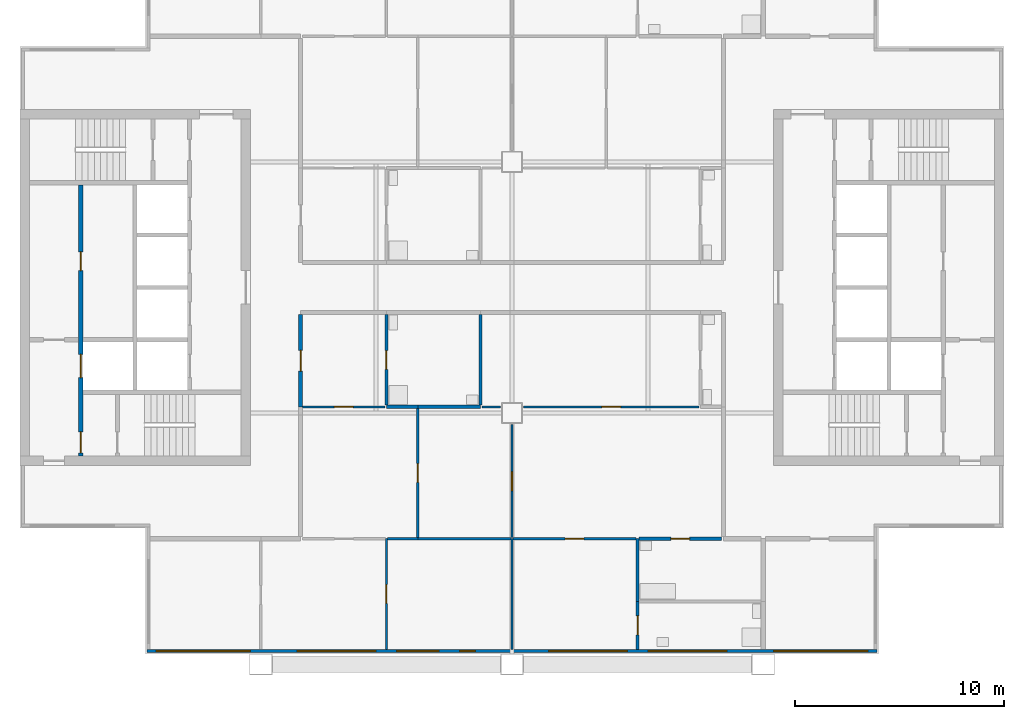
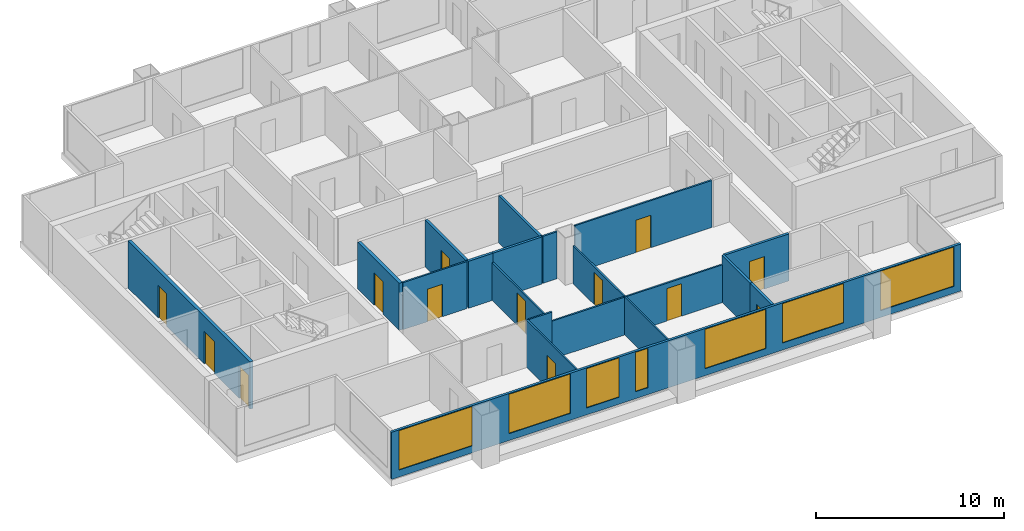
# One storey, part 2 of 8: 20 walls, 13 doors, 7 windows, 20 openings.
"""IFC4 building model written with IfcOpenShell, lengths in metres."""

from ifc_helpers import new_model, si_unit, direction, frame, frame_2d, origin, place, context, subcontext, project, spatial, rectangle, extrude, material, layer, layer_set, type_object, element, fill, save


model = new_model("IFC4")

# Units and contexts
model_context = context("Model", 3, precision=1e-05, world=origin(), true_north=direction((0.0, 1.0)))
body_context = subcontext(model_context, "Body", "Model", "MODEL_VIEW")
ifc_project = project(units=[si_unit("LENGTHUNIT", "METRE"), si_unit("AREAUNIT", "SQUARE_METRE"), si_unit("VOLUMEUNIT", "CUBIC_METRE"), si_unit("PLANEANGLEUNIT", "RADIAN"), si_unit("MASSUNIT", "GRAM", prefix="KILO")], contexts=[model_context])

# Site, building, storey
site_placement = place(None, origin())
site = spatial("IfcSite", under=ifc_project, at=site_placement, CompositionType="ELEMENT")
building_placement = place(site_placement, origin())
building = spatial("IfcBuilding", under=site, at=building_placement, Name="Kitamizu Gate Tower and Museum", CompositionType="ELEMENT")
storey_placement = place(building_placement, frame((0.0, 0.0, 235.199951171875)))
storey = spatial("IfcBuildingStorey", under=building, at=storey_placement, Name="L63", CompositionType="ELEMENT", Elevation=235.199951171875)

# Wall, opening, door
ifc_material_1 = material(Name="Gypsum board on galvanised stud")
ifc_layer_1 = layer(ifc_material_1, 0.10009765625)
ifc_layer_set_1 = layer_set([ifc_layer_1], Name="Gypsum board on galvanised stud")
wall_type_1 = type_object("IfcWallType", Name="Partition 100 NOT RATED", PredefinedType="PARTITIONING", material=ifc_layer_set_1)
wall_1_placement = place(storey_placement, frame((30.0, 12.719970703125, 0.0), z_axis=(0.0, 0.0, 1.0), x_axis=(0.0, 1.0, 0.0)))
wall_1 = element("IfcWall", 1, at=wall_1_placement, inside=storey, type_object=wall_type_1, Name="Partition L63-003", PredefinedType="PARTITIONING", context=body_context, shape_type="SweptSolid", body=[
    extrude(rectangle(XDim=5.280029296875, YDim=0.10009765625, at=frame_2d((2.64013671875, 0.0))), origin(), (0.0, 0.0, 1.0), 3.050048828125),
])
opening_1_placement = place(wall_1_placement, frame((2.18994140625, 0.0, 0.0)))
opening_1 = element("IfcOpeningElement", 2, at=opening_1_placement, cuts=wall_1, Name="Opening L63-007", PredefinedType="OPENING", context=body_context, shape_type="SweptSolid", body=[
    extrude(rectangle(XDim=0.89990234375, YDim=2.10009765625, at=frame_2d((0.449951171875, 1.050048828125))), frame((0.0, 0.06005859375, 0.0), z_axis=(0.0, -1.0, 0.0), x_axis=(1.0, 0.0, 0.0)), (0.0, 0.0, 1.0), 0.1201171875),
])
ifc_material_2 = material(Name="Timber door set", Category="wood")
door_type_1 = type_object("IfcDoorType", Name="Room door 900", OperationType="NOTDEFINED", PredefinedType="DOOR", material=ifc_material_2)
door_1_placement = place(opening_1_placement, origin())
door_1 = element("IfcDoor", 3, at=door_1_placement, inside=storey, type_object=door_type_1, Name="Door L63-007", OperationType="SINGLE_SWING_RIGHT", OverallHeight=2.10009765625, OverallWidth=0.89990234375, PredefinedType="DOOR", context=body_context, shape_type="SweptSolid", body=[
    extrude(rectangle(XDim=0.89990234375, YDim=2.10009765625, at=frame_2d((0.449951171875, 1.050048828125))), frame((0.0, 0.02490234375, 0.0), z_axis=(0.0, -1.0, 0.0), x_axis=(1.0, 0.0, 0.0)), (0.0, 0.0, 1.0), 0.050048828125),
])
fill(opening_1, door_1)

# Walls
wall_2_placement = place(storey_placement, frame((36.0, 12.719970703125, 0.0), z_axis=(0.0, 0.0, 1.0), x_axis=(0.0, 1.0, 0.0)))
element("IfcWall", 4, at=wall_2_placement, inside=storey, type_object=wall_type_1, Name="Partition L63-006", PredefinedType="PARTITIONING", context=body_context, shape_type="SweptSolid", body=[
    extrude(rectangle(XDim=5.280029296875, YDim=0.10009765625, at=frame_2d((2.64013671875, 0.0))), origin(), (0.0, 0.0, 1.0), 2.449951171875),
])
wall_3_placement = place(storey_placement, frame((31.5, 18.0, 0.0), z_axis=(0.0, 0.0, 1.0), x_axis=(-1.0, 0.0, 0.0)))
element("IfcWall", 5, at=wall_3_placement, inside=storey, type_object=wall_type_1, Name="Partition L63-007", PredefinedType="PARTITIONING", context=body_context, shape_type="SweptSolid", body=[
    extrude(rectangle(XDim=1.449951171875, YDim=0.10009765625, at=frame_2d((0.72509765625, 0.0))), origin(), (0.0, 0.0, 1.0), 3.050048828125),
])
wall_4_placement = place(storey_placement, frame((35.949951171875, 18.0, 0.0), z_axis=(0.0, 0.0, 1.0), x_axis=(-1.0, 0.0, 0.0)))
element("IfcWall", 6, at=wall_4_placement, inside=storey, type_object=wall_type_1, Name="Partition L63-008", PredefinedType="PARTITIONING", context=body_context, shape_type="SweptSolid", body=[
    extrude(rectangle(XDim=4.449951171875, YDim=0.10009765625, at=frame_2d((2.22509765625, 0.0))), origin(), (0.0, 0.0, 1.0), 2.449951171875),
])

# Wall, opening, door
wall_5_placement = place(storey_placement, frame((41.925048828125, 18.0, 0.0), z_axis=(0.0, 0.0, 1.0), x_axis=(-1.0, 0.0, 0.0)))
wall_5 = element("IfcWall", 7, at=wall_5_placement, inside=storey, type_object=wall_type_1, Name="Partition L63-011", PredefinedType="PARTITIONING", context=body_context, shape_type="SweptSolid", body=[
    extrude(rectangle(XDim=5.875, YDim=0.10009765625, at=frame_2d((2.9375, 0.0))), origin(), (0.0, 0.0, 1.0), 2.449951171875),
])
opening_2_placement = place(wall_5_placement, frame((2.487548828125, 0.0, 0.0)))
opening_2 = element("IfcOpeningElement", 8, at=opening_2_placement, cuts=wall_5, Name="Opening L63-009", PredefinedType="OPENING", context=body_context, shape_type="SweptSolid", body=[
    extrude(rectangle(XDim=0.89990234375, YDim=2.10009765625, at=frame_2d((0.449951171875, 1.050048828125))), frame((0.0, 0.06005859375, 0.0), z_axis=(0.0, -1.0, 0.0), x_axis=(1.0, 0.0, 0.0)), (0.0, 0.0, 1.0), 0.1201171875),
])
door_2_placement = place(opening_2_placement, origin())
door_2 = element("IfcDoor", 9, at=door_2_placement, inside=storey, type_object=door_type_1, Name="Door L63-009", OperationType="SINGLE_SWING_RIGHT", OverallHeight=2.10009765625, OverallWidth=0.89990234375, PredefinedType="DOOR", context=body_context, shape_type="SweptSolid", body=[
    extrude(rectangle(XDim=0.89990234375, YDim=2.10009765625, at=frame_2d((0.449951171875, 1.050048828125))), frame((0.0, 0.02490234375, 0.0), z_axis=(0.0, -1.0, 0.0), x_axis=(1.0, 0.0, 0.0)), (0.0, 0.0, 1.0), 0.050048828125),
])
fill(opening_2, door_2)

wall_6_placement = place(storey_placement, frame((31.5, 18.050048828125, 0.0), z_axis=(0.0, 0.0, 1.0), x_axis=(0.0, 1.0, 0.0)))
wall_6 = element("IfcWall", 10, at=wall_6_placement, inside=storey, type_object=wall_type_1, Name="Partition L63-017", PredefinedType="PARTITIONING", context=body_context, shape_type="SweptSolid", body=[
    extrude(rectangle(XDim=6.175048828125, YDim=0.10009765625, at=frame_2d((3.08740234375, 0.0))), origin(), (0.0, 0.0, 1.0), 2.449951171875),
])
opening_3_placement = place(wall_6_placement, frame((2.637451171875, 0.0, 0.0)))
opening_3 = element("IfcOpeningElement", 11, at=opening_3_placement, cuts=wall_6, Name="Opening L63-004", PredefinedType="OPENING", context=body_context, shape_type="SweptSolid", body=[
    extrude(rectangle(XDim=0.89990234375, YDim=2.10009765625, at=frame_2d((0.449951171875, 1.050048828125))), frame((0.0, 0.06005859375, 0.0), z_axis=(0.0, -1.0, 0.0), x_axis=(1.0, 0.0, 0.0)), (0.0, 0.0, 1.0), 0.1201171875),
])
door_3_placement = place(opening_3_placement, frame((0.89990234375, 0.0, 0.0), x_axis=(-1.0, 0.0, 0.0)))
door_3 = element("IfcDoor", 12, at=door_3_placement, inside=storey, type_object=door_type_1, Name="Door L63-004", OperationType="SINGLE_SWING_RIGHT", OverallHeight=2.10009765625, OverallWidth=0.89990234375, PredefinedType="DOOR", context=body_context, shape_type="SweptSolid", body=[
    extrude(rectangle(XDim=0.89990234375, YDim=2.10009765625, at=frame_2d((0.449951171875, 1.050048828125))), frame((0.0, 0.02490234375, 0.0), z_axis=(0.0, -1.0, 0.0), x_axis=(1.0, 0.0, 0.0)), (0.0, 0.0, 1.0), 0.050048828125),
])
fill(opening_3, door_3)

wall_7_placement = place(storey_placement, frame((29.925048828125, 24.300048828125, 0.0), z_axis=(0.0, 0.0, 1.0), x_axis=(-1.0, 0.0, 0.0)))
wall_7 = element("IfcWall", 13, at=wall_7_placement, inside=storey, type_object=wall_type_1, Name="Partition L63-018", PredefinedType="PARTITIONING", context=body_context, shape_type="SweptSolid", body=[
    extrude(rectangle(XDim=3.925048828125, YDim=0.10009765625, at=frame_2d((1.96240234375, 0.0))), origin(), (0.0, 0.0, 1.0), 3.050048828125),
])
opening_4_placement = place(wall_7_placement, frame((1.512451171875, 0.0, 0.0)))
opening_4 = element("IfcOpeningElement", 14, at=opening_4_placement, cuts=wall_7, Name="Opening L63-002", PredefinedType="OPENING", context=body_context, shape_type="SweptSolid", body=[
    extrude(rectangle(XDim=0.89990234375, YDim=2.10009765625, at=frame_2d((0.449951171875, 1.050048828125))), frame((0.0, 0.06005859375, 0.0), z_axis=(0.0, -1.0, 0.0), x_axis=(1.0, 0.0, 0.0)), (0.0, 0.0, 1.0), 0.1201171875),
])
door_4_placement = place(opening_4_placement, origin())
door_4 = element("IfcDoor", 15, at=door_4_placement, inside=storey, type_object=door_type_1, Name="Door L63-002", OperationType="SINGLE_SWING_LEFT", OverallHeight=2.10009765625, OverallWidth=0.89990234375, PredefinedType="DOOR", context=body_context, shape_type="SweptSolid", body=[
    extrude(rectangle(XDim=0.89990234375, YDim=2.10009765625, at=frame_2d((0.449951171875, 1.050048828125))), frame((0.0, 0.02490234375, 0.0), z_axis=(0.0, -1.0, 0.0), x_axis=(1.0, 0.0, 0.0)), (0.0, 0.0, 1.0), 0.050048828125),
])
fill(opening_4, door_4)

wall_8_placement = place(storey_placement, frame((36.0, 18.050048828125, 0.0), z_axis=(0.0, 0.0, 1.0), x_axis=(0.0, 1.0, 0.0)))
wall_8 = element("IfcWall", 16, at=wall_8_placement, inside=storey, type_object=wall_type_1, Name="Partition L63-022", PredefinedType="PARTITIONING", context=body_context, shape_type="SweptSolid", body=[
    extrude(rectangle(XDim=5.39990234375, YDim=0.10009765625, at=frame_2d((2.699951171875, 0.0))), origin(), (0.0, 0.0, 1.0), 2.449951171875),
])
opening_5_placement = place(wall_8_placement, frame((2.25, 0.0, 0.0)))
opening_5 = element("IfcOpeningElement", 17, at=opening_5_placement, cuts=wall_8, Name="Opening L63-008", PredefinedType="OPENING", context=body_context, shape_type="SweptSolid", body=[
    extrude(rectangle(XDim=0.89990234375, YDim=2.10009765625, at=frame_2d((0.449951171875, 1.050048828125))), frame((0.0, 0.06005859375, 0.0), z_axis=(0.0, -1.0, 0.0), x_axis=(1.0, 0.0, 0.0)), (0.0, 0.0, 1.0), 0.1201171875),
])
door_5_placement = place(opening_5_placement, origin())
door_5 = element("IfcDoor", 18, at=door_5_placement, inside=storey, type_object=door_type_1, Name="Door L63-008", OperationType="SINGLE_SWING_LEFT", OverallHeight=2.10009765625, OverallWidth=0.89990234375, PredefinedType="DOOR", context=body_context, shape_type="SweptSolid", body=[
    extrude(rectangle(XDim=0.89990234375, YDim=2.10009765625, at=frame_2d((0.449951171875, 1.050048828125))), frame((0.0, 0.02490234375, 0.0), z_axis=(0.0, -1.0, 0.0), x_axis=(1.0, 0.0, 0.0)), (0.0, 0.0, 1.0), 0.050048828125),
])
fill(opening_5, door_5)

# Wall
wall_9_placement = place(storey_placement, frame((35.449951171875, 24.300048828125, 0.0), z_axis=(0.0, 0.0, 1.0), x_axis=(-1.0, 0.0, 0.0)))
element("IfcWall", 19, at=wall_9_placement, inside=storey, type_object=wall_type_1, Name="Partition L63-024", PredefinedType="PARTITIONING", context=body_context, shape_type="SweptSolid", body=[
    extrude(rectangle(XDim=0.875, YDim=0.10009765625, at=frame_2d((0.4375, 0.0))), origin(), (0.0, 0.0, 1.0), 3.050048828125),
])

# Wall, opening, door
wall_10_placement = place(storey_placement, frame((44.925048828125, 24.300048828125, 0.0), z_axis=(0.0, 0.0, 1.0), x_axis=(-1.0, 0.0, 0.0)))
wall_10 = element("IfcWall", 20, at=wall_10_placement, inside=storey, type_object=wall_type_1, Name="Partition L63-025", PredefinedType="PARTITIONING", context=body_context, shape_type="SweptSolid", body=[
    extrude(rectangle(XDim=8.375, YDim=0.10009765625, at=frame_2d((4.1875, 0.0))), origin(), (0.0, 0.0, 1.0), 3.050048828125),
])
opening_6_placement = place(wall_10_placement, frame((3.737548828125, 0.0, 0.0)))
opening_6 = element("IfcOpeningElement", 21, at=opening_6_placement, cuts=wall_10, Name="Opening L63-012", PredefinedType="OPENING", context=body_context, shape_type="SweptSolid", body=[
    extrude(rectangle(XDim=0.89990234375, YDim=2.10009765625, at=frame_2d((0.449951171875, 1.050048828125))), frame((0.0, 0.06005859375, 0.0), z_axis=(0.0, -1.0, 0.0), x_axis=(1.0, 0.0, 0.0)), (0.0, 0.0, 1.0), 0.1201171875),
])
door_6_placement = place(opening_6_placement, frame((0.89990234375, 0.0, 0.0), x_axis=(-1.0, 0.0, 0.0)))
door_6 = element("IfcDoor", 22, at=door_6_placement, inside=storey, type_object=door_type_1, Name="Door L63-012", OperationType="SINGLE_SWING_RIGHT", OverallHeight=2.10009765625, OverallWidth=0.89990234375, PredefinedType="DOOR", context=body_context, shape_type="SweptSolid", body=[
    extrude(rectangle(XDim=0.89990234375, YDim=2.10009765625, at=frame_2d((0.449951171875, 1.050048828125))), frame((0.0, 0.02490234375, 0.0), z_axis=(0.0, -1.0, 0.0), x_axis=(1.0, 0.0, 0.0)), (0.0, 0.0, 1.0), 0.050048828125),
])
fill(opening_6, door_6)

ifc_material_3 = material(Name="Gypsum board on galvanised stud")
ifc_layer_2 = layer(ifc_material_3, 0.14990234375)
ifc_layer_set_2 = layer_set([ifc_layer_2], Name="Gypsum board on galvanised stud")
wall_type_2 = type_object("IfcWallType", Name="Partition 150", PredefinedType="PARTITIONING", material=ifc_layer_set_2)
wall_11_placement = place(storey_placement, frame((42.0, 12.719970703125, 0.0), z_axis=(0.0, 0.0, 1.0), x_axis=(0.0, 1.0, 0.0)))
wall_11 = element("IfcWall", 23, at=wall_11_placement, inside=storey, type_object=wall_type_2, Name="Partition L63-009", PredefinedType="PARTITIONING", context=body_context, shape_type="SweptSolid", body=[
    extrude(rectangle(XDim=2.280029296875, YDim=0.14990234375, at=frame_2d((1.14013671875, 0.0))), origin(), (0.0, 0.0, 1.0), 3.050048828125),
])
opening_7_placement = place(wall_11_placement, frame((0.68994140625, 0.0, 0.0)))
opening_7 = element("IfcOpeningElement", 24, at=opening_7_placement, cuts=wall_11, Name="Opening L63-010", PredefinedType="OPENING", context=body_context, shape_type="SweptSolid", body=[
    extrude(rectangle(XDim=0.89990234375, YDim=2.10009765625, at=frame_2d((0.449951171875, 1.050048828125))), frame((0.0, 0.0849609375, 0.0), z_axis=(0.0, -1.0, 0.0), x_axis=(1.0, 0.0, 0.0)), (0.0, 0.0, 1.0), 0.169921875),
])
ifc_material_4 = material(Name="Timber door set", Category="wood")
door_type_2 = type_object("IfcDoorType", Name="Bathroom door 900", OperationType="NOTDEFINED", PredefinedType="DOOR", material=ifc_material_4)
door_7_placement = place(opening_7_placement, frame((0.89990234375, 0.0, 0.0), x_axis=(-1.0, 0.0, 0.0)))
door_7 = element("IfcDoor", 25, at=door_7_placement, inside=storey, type_object=door_type_2, Name="Bathroom door L63-010", OperationType="SINGLE_SWING_RIGHT", OverallHeight=2.10009765625, OverallWidth=0.89990234375, PredefinedType="DOOR", context=body_context, shape_type="SweptSolid", body=[
    extrude(rectangle(XDim=0.89990234375, YDim=2.10009765625, at=frame_2d((0.449951171875, 1.050048828125))), frame((0.0, 0.02490234375, 0.0), z_axis=(0.0, -1.0, 0.0), x_axis=(1.0, 0.0, 0.0)), (0.0, 0.0, 1.0), 0.050048828125),
])
fill(opening_7, door_7)

# Wall
wall_12_placement = place(storey_placement, frame((42.0, 15.0, 0.0), z_axis=(0.0, 0.0, 1.0), x_axis=(0.0, 1.0, 0.0)))
element("IfcWall", 26, at=wall_12_placement, inside=storey, type_object=wall_type_2, Name="Partition L63-010", PredefinedType="PARTITIONING", context=body_context, shape_type="SweptSolid", body=[
    extrude(rectangle(XDim=3.0, YDim=0.14990234375, at=frame_2d((1.5, 0.0))), origin(), (0.0, 0.0, 1.0), 3.050048828125),
])

# Wall, opening, door
wall_13_placement = place(storey_placement, frame((46.0, 18.0, 0.0), z_axis=(0.0, 0.0, 1.0), x_axis=(-1.0, 0.0, 0.0)))
wall_13 = element("IfcWall", 27, at=wall_13_placement, inside=storey, type_object=wall_type_2, Name="Partition L63-014", PredefinedType="PARTITIONING", context=body_context, shape_type="SweptSolid", body=[
    extrude(rectangle(XDim=3.925048828125, YDim=0.14990234375, at=frame_2d((1.96240234375, 0.0))), origin(), (0.0, 0.0, 1.0), 3.050048828125),
])
opening_8_placement = place(wall_13_placement, frame((1.512451171875, 0.0, 0.0)))
opening_8 = element("IfcOpeningElement", 28, at=opening_8_placement, cuts=wall_13, Name="Opening L63-011", PredefinedType="OPENING", context=body_context, shape_type="SweptSolid", body=[
    extrude(rectangle(XDim=0.89990234375, YDim=2.10009765625, at=frame_2d((0.449951171875, 1.050048828125))), frame((0.0, 0.0849609375, 0.0), z_axis=(0.0, -1.0, 0.0), x_axis=(1.0, 0.0, 0.0)), (0.0, 0.0, 1.0), 0.169921875),
])
door_8_placement = place(opening_8_placement, origin())
door_8 = element("IfcDoor", 29, at=door_8_placement, inside=storey, type_object=door_type_2, Name="Bathroom door L63-011", OperationType="SINGLE_SWING_RIGHT", OverallHeight=2.10009765625, OverallWidth=0.89990234375, PredefinedType="DOOR", context=body_context, shape_type="SweptSolid", body=[
    extrude(rectangle(XDim=0.89990234375, YDim=2.10009765625, at=frame_2d((0.449951171875, 1.050048828125))), frame((0.0, 0.02490234375, 0.0), z_axis=(0.0, -1.0, 0.0), x_axis=(1.0, 0.0, 0.0)), (0.0, 0.0, 1.0), 0.050048828125),
])
fill(opening_8, door_8)

# Walls
wall_14_placement = place(storey_placement, frame((31.5, 24.300048828125, 0.0), z_axis=(0.0, 0.0, 1.0), x_axis=(-1.0, 0.0, 0.0)))
element("IfcWall", 30, at=wall_14_placement, inside=storey, type_object=wall_type_2, Name="Partition L63-019", PredefinedType="PARTITIONING", context=body_context, shape_type="SweptSolid", body=[
    extrude(rectangle(XDim=1.5, YDim=0.14990234375, at=frame_2d((0.75, 0.0))), origin(), (0.0, 0.0, 1.0), 3.050048828125),
])
wall_15_placement = place(storey_placement, frame((34.5, 24.300048828125, 0.0), z_axis=(0.0, 0.0, 1.0), x_axis=(-1.0, 0.0, 0.0)))
element("IfcWall", 31, at=wall_15_placement, inside=storey, type_object=wall_type_2, Name="Partition L63-023", PredefinedType="PARTITIONING", context=body_context, shape_type="SweptSolid", body=[
    extrude(rectangle(XDim=3.0, YDim=0.14990234375, at=frame_2d((1.5, 0.0))), origin(), (0.0, 0.0, 1.0), 3.050048828125),
])

# Wall, opening, door
wall_16_placement = place(storey_placement, frame((30.0, 24.375, 0.0), z_axis=(0.0, 0.0, 1.0), x_axis=(0.0, 1.0, 0.0)))
wall_16 = element("IfcWall", 32, at=wall_16_placement, inside=storey, type_object=wall_type_2, Name="Partition L63-028", PredefinedType="PARTITIONING", context=body_context, shape_type="SweptSolid", body=[
    extrude(rectangle(XDim=4.324951171875, YDim=0.14990234375, at=frame_2d((2.16259765625, 0.0))), origin(), (0.0, 0.0, 1.0), 3.050048828125),
])
opening_9_placement = place(wall_16_placement, frame((1.71240234375, 0.0, 0.0)))
opening_9 = element("IfcOpeningElement", 33, at=opening_9_placement, cuts=wall_16, Name="Opening L63-005", PredefinedType="OPENING", context=body_context, shape_type="SweptSolid", body=[
    extrude(rectangle(XDim=0.89990234375, YDim=2.10009765625, at=frame_2d((0.449951171875, 1.050048828125))), frame((0.0, 0.0849609375, 0.0), z_axis=(0.0, -1.0, 0.0), x_axis=(1.0, 0.0, 0.0)), (0.0, 0.0, 1.0), 0.169921875),
])
door_9_placement = place(opening_9_placement, frame((0.89990234375, 0.0, 0.0), x_axis=(-1.0, 0.0, 0.0)))
door_9 = element("IfcDoor", 34, at=door_9_placement, inside=storey, type_object=door_type_2, Name="Bathroom door L63-005", OperationType="SINGLE_SWING_LEFT", OverallHeight=2.10009765625, OverallWidth=0.89990234375, PredefinedType="DOOR", context=body_context, shape_type="SweptSolid", body=[
    extrude(rectangle(XDim=0.89990234375, YDim=2.10009765625, at=frame_2d((0.449951171875, 1.050048828125))), frame((0.0, 0.02490234375, 0.0), z_axis=(0.0, -1.0, 0.0), x_axis=(1.0, 0.0, 0.0)), (0.0, 0.0, 1.0), 0.050048828125),
])
fill(opening_9, door_9)

# Wall
wall_17_placement = place(storey_placement, frame((34.5, 24.375, 0.0), z_axis=(0.0, 0.0, 1.0), x_axis=(0.0, 1.0, 0.0)))
element("IfcWall", 35, at=wall_17_placement, inside=storey, type_object=wall_type_2, Name="Partition L63-031", PredefinedType="PARTITIONING", context=body_context, shape_type="SweptSolid", body=[
    extrude(rectangle(XDim=4.324951171875, YDim=0.14990234375, at=frame_2d((2.16259765625, 0.0))), origin(), (0.0, 0.0, 1.0), 3.050048828125),
])

# Wall, opening, door
ifc_material_5 = material(Name="Gypsum board on galvanised stud")
ifc_layer_3 = layer(ifc_material_5, 0.199951171875)
ifc_layer_set_3 = layer_set([ifc_layer_3], Name="Gypsum board on galvanised stud")
wall_type_3 = type_object("IfcWallType", Name="Partition 200", PredefinedType="PARTITIONING", material=ifc_layer_set_3)
wall_18_placement = place(storey_placement, frame((25.89990234375, 28.699951171875, 0.0), z_axis=(0.0, 0.0, 1.0), x_axis=(0.0, -1.0, 0.0)))
wall_18 = element("IfcWall", 36, at=wall_18_placement, inside=storey, type_object=wall_type_3, Name="Partition L63-030", PredefinedType="PARTITIONING", context=body_context, shape_type="SweptSolid", body=[
    extrude(rectangle(XDim=4.39990234375, YDim=0.199951171875, at=frame_2d((2.199951171875, 0.0))), origin(), (0.0, 0.0, 1.0), 3.050048828125),
])
opening_10_placement = place(wall_18_placement, frame((1.699951171875, 0.0, 0.0)))
opening_10 = element("IfcOpeningElement", 37, at=opening_10_placement, cuts=wall_18, Name="Opening L63-001", PredefinedType="OPENING", context=body_context, shape_type="SweptSolid", body=[
    extrude(rectangle(XDim=1.0, YDim=2.10009765625, at=frame_2d((0.5, 1.050048828125))), frame((0.0, 0.10986328125, 0.0), z_axis=(0.0, -1.0, 0.0), x_axis=(1.0, 0.0, 0.0)), (0.0, 0.0, 1.0), 0.219970703125),
])
ifc_material_6 = material(Name="Timber door set", Category="wood")
door_type_3 = type_object("IfcDoorType", Name="Flat entrance door 1000", OperationType="NOTDEFINED", PredefinedType="DOOR", material=ifc_material_6)
door_10_placement = place(opening_10_placement, origin())
door_10 = element("IfcDoor", 38, at=door_10_placement, inside=storey, type_object=door_type_3, Name="Flat entrance door L63-001", OperationType="SINGLE_SWING_RIGHT", OverallHeight=2.10009765625, OverallWidth=1.0, PredefinedType="DOOR", context=body_context, shape_type="SweptSolid", body=[
    extrude(rectangle(XDim=1.0, YDim=2.10009765625, at=frame_2d((0.5, 1.050048828125))), frame((0.0, 0.02490234375, 0.0), z_axis=(0.0, -1.0, 0.0), x_axis=(1.0, 0.0, 0.0)), (0.0, 0.0, 1.0), 0.050048828125),
])
fill(opening_10, door_10)

# Wall, openings, doors
ifc_material_7 = material(Name="Concrete Fc42", Category="concrete")
ifc_layer_4 = layer(ifc_material_7, 0.199951171875)
ifc_layer_set_4 = layer_set([ifc_layer_4], Name="Concrete Fc42")
wall_type_4 = type_object("IfcWallType", Name="Shaft wall 200", PredefinedType="SOLIDWALL", material=ifc_layer_set_4)
wall_19_placement = place(storey_placement, frame((15.39990234375, 21.949951171875, 0.0), z_axis=(0.0, 0.0, 1.0), x_axis=(0.0, 1.0, 0.0)))
wall_19 = element("IfcWall", 39, at=wall_19_placement, inside=storey, type_object=wall_type_4, Name="Shaft wall WWEST", PredefinedType="SOLIDWALL", context=body_context, shape_type="SweptSolid", body=[
    extrude(rectangle(XDim=12.949951171875, YDim=0.199951171875, at=frame_2d((6.47509765625, 0.0))), origin(), (0.0, 0.0, 1.0), 3.050048828125),
])
opening_11_placement = place(wall_19_placement, frame((3.75, 0.0, 0.0)))
opening_11 = element("IfcOpeningElement", 40, at=opening_11_placement, cuts=wall_19, Name="Opening LD", PredefinedType="OPENING", context=body_context, shape_type="SweptSolid", body=[
    extrude(rectangle(XDim=1.10009765625, YDim=2.10009765625, at=frame_2d((0.550048828125, 1.050048828125))), frame((0.0, 0.10986328125, 0.0), z_axis=(0.0, -1.0, 0.0), x_axis=(1.0, 0.0, 0.0)), (0.0, 0.0, 1.0), 0.219970703125),
])
opening_12_placement = place(wall_19_placement, frame((0.14990234375, 0.0, 0.0)))
opening_12 = element("IfcOpeningElement", 41, at=opening_12_placement, cuts=wall_19, Name="Opening L63-031", PredefinedType="OPENING", context=body_context, shape_type="SweptSolid", body=[
    extrude(rectangle(XDim=1.0, YDim=2.10009765625, at=frame_2d((0.5, 1.050048828125))), frame((0.0, 0.10986328125, 0.0), z_axis=(0.0, -1.0, 0.0), x_axis=(1.0, 0.0, 0.0)), (0.0, 0.0, 1.0), 0.219970703125),
])
opening_13_placement = place(wall_19_placement, frame((8.85009765625, 0.0, 0.0)))
opening_13 = element("IfcOpeningElement", 42, at=opening_13_placement, cuts=wall_19, Name="Opening L63-038", PredefinedType="OPENING", context=body_context, shape_type="SweptSolid", body=[
    extrude(rectangle(XDim=0.89990234375, YDim=2.10009765625, at=frame_2d((0.449951171875, 1.050048828125))), frame((0.0, 0.10986328125, 0.0), z_axis=(0.0, -1.0, 0.0), x_axis=(1.0, 0.0, 0.0)), (0.0, 0.0, 1.0), 0.219970703125),
])
ifc_material_8 = material(Name="Hollow metal door set")
door_type_4 = type_object("IfcDoorType", Name="Fire door 1000", OperationType="NOTDEFINED", PredefinedType="DOOR", material=ifc_material_8)
door_11_placement = place(opening_12_placement, frame((1.0, 0.0, 0.0), x_axis=(-1.0, 0.0, 0.0)))
door_11 = element("IfcDoor", 43, at=door_11_placement, inside=storey, type_object=door_type_4, Name="Stair lobby door L63-031", OperationType="SINGLE_SWING_LEFT", OverallHeight=2.10009765625, OverallWidth=1.0, PredefinedType="DOOR", context=body_context, shape_type="SweptSolid", body=[
    extrude(rectangle(XDim=1.0, YDim=2.10009765625, at=frame_2d((0.5, 1.050048828125))), frame((0.0, 0.02490234375, 0.0), z_axis=(0.0, -1.0, 0.0), x_axis=(1.0, 0.0, 0.0)), (0.0, 0.0, 1.0), 0.050048828125),
])
fill(opening_12, door_11)
ifc_material_9 = material(Name="Hollow metal door set")
door_type_5 = type_object("IfcDoorType", Name="Landing door 1100", OperationType="SLIDING_TO_LEFT", PredefinedType="DOOR", material=ifc_material_9)
door_12_placement = place(opening_11_placement, origin())
door_12 = element("IfcDoor", 44, at=door_12_placement, inside=storey, type_object=door_type_5, Name="Landing door WFF1", OperationType="SLIDING_TO_LEFT", OverallHeight=2.10009765625, OverallWidth=1.10009765625, PredefinedType="DOOR", context=body_context, shape_type="SweptSolid", body=[
    extrude(rectangle(XDim=1.10009765625, YDim=2.10009765625, at=frame_2d((0.550048828125, 1.050048828125))), frame((0.0, 0.02490234375, 0.0), z_axis=(0.0, -1.0, 0.0), x_axis=(1.0, 0.0, 0.0)), (0.0, 0.0, 1.0), 0.050048828125),
])
fill(opening_11, door_12)
ifc_material_10 = material(Name="Timber door set", Category="wood")
door_type_6 = type_object("IfcDoorType", Name="Service door 900", OperationType="NOTDEFINED", PredefinedType="DOOR", material=ifc_material_10)
door_13_placement = place(opening_13_placement, frame((0.89990234375, 0.0, 0.0), x_axis=(-1.0, 0.0, 0.0)))
door_13 = element("IfcDoor", 45, at=door_13_placement, inside=storey, type_object=door_type_6, Name="Service door L63-038", OperationType="SINGLE_SWING_RIGHT", OverallHeight=2.10009765625, OverallWidth=0.89990234375, PredefinedType="DOOR", context=body_context, shape_type="SweptSolid", body=[
    extrude(rectangle(XDim=0.89990234375, YDim=2.10009765625, at=frame_2d((0.449951171875, 1.050048828125))), frame((0.0, 0.02490234375, 0.0), z_axis=(0.0, -1.0, 0.0), x_axis=(1.0, 0.0, 0.0)), (0.0, 0.0, 1.0), 0.050048828125),
])
fill(opening_13, door_13)

# Wall, openings, windows
ifc_material_11 = material(Name="Bronze anodised aluminium frame with insulated spandrel and tinted glass", Category="aluminium")
ifc_layer_5 = layer(ifc_material_11, 0.14990234375)
ifc_layer_set_5 = layer_set([ifc_layer_5], Name="Bronze anodised aluminium frame with insulated spandrel and tinted glass")
wall_type_5 = type_object("IfcWallType", Name="WINDOW WALL 150 BRONZE FRAME EI 30", PredefinedType="ELEMENTEDWALL", material=ifc_layer_set_5)
wall_20_placement = place(storey_placement, frame((18.56005859375, 12.635009765625, 0.0), z_axis=(0.0, 0.0, 1.0), x_axis=(1.0, 0.0, 0.0)))
wall_20 = element("IfcWall", 46, at=wall_20_placement, inside=storey, type_object=wall_type_5, Name="Window wall south L63", PredefinedType="ELEMENTEDWALL", context=body_context, shape_type="SweptSolid", body=[
    extrude(rectangle(XDim=34.8798828125, YDim=0.14990234375, at=frame_2d((17.43994140625, 0.0))), origin(), (0.0, 0.0, 1.0), 3.050048828125),
])
opening_14_placement = place(wall_20_placement, frame((0.43994140625, 0.0, 0.449951171875)))
opening_14 = element("IfcOpeningElement", 47, at=opening_14_placement, cuts=wall_20, Name="Opening W15", PredefinedType="OPENING", context=body_context, shape_type="SweptSolid", body=[
    extrude(rectangle(XDim=4.5, YDim=2.550048828125, at=frame_2d((2.25, 1.27490234375))), frame((0.0, 0.0849609375, 0.0), z_axis=(0.0, -1.0, 0.0), x_axis=(1.0, 0.0, 0.0)), (0.0, 0.0, 1.0), 0.169921875),
])
opening_15_placement = place(wall_20_placement, frame((7.18994140625, 0.0, 0.449951171875)))
opening_15 = element("IfcOpeningElement", 48, at=opening_15_placement, cuts=wall_20, Name="Opening W36", PredefinedType="OPENING", context=body_context, shape_type="SweptSolid", body=[
    extrude(rectangle(XDim=3.75, YDim=2.550048828125, at=frame_2d((1.875, 1.27490234375))), frame((0.0, 0.0849609375, 0.0), z_axis=(0.0, -1.0, 0.0), x_axis=(1.0, 0.0, 0.0)), (0.0, 0.0, 1.0), 0.169921875),
])
opening_16_placement = place(wall_20_placement, frame((11.93994140625, 0.0, 0.449951171875)))
opening_16 = element("IfcOpeningElement", 49, at=opening_16_placement, cuts=wall_20, Name="Opening W2", PredefinedType="OPENING", context=body_context, shape_type="SweptSolid", body=[
    extrude(rectangle(XDim=2.0, YDim=2.550048828125, at=frame_2d((1.0, 1.27490234375))), frame((0.0, 0.0849609375, 0.0), z_axis=(0.0, -1.0, 0.0), x_axis=(1.0, 0.0, 0.0)), (0.0, 0.0, 1.0), 0.169921875),
])
opening_17_placement = place(wall_20_placement, frame((14.93994140625, 0.0, 0.449951171875)))
opening_17 = element("IfcOpeningElement", 50, at=opening_17_placement, cuts=wall_20, Name="Opening W25", PredefinedType="OPENING", context=body_context, shape_type="SweptSolid", body=[
    extrude(rectangle(XDim=0.75, YDim=2.550048828125, at=frame_2d((0.375, 1.27490234375))), frame((0.0, 0.0849609375, 0.0), z_axis=(0.0, -1.0, 0.0), x_axis=(1.0, 0.0, 0.0)), (0.0, 0.0, 1.0), 0.169921875),
])
opening_18_placement = place(wall_20_placement, frame((19.18994140625, 0.0, 0.449951171875)))
opening_18 = element("IfcOpeningElement", 51, at=opening_18_placement, cuts=wall_20, Name="Opening W36", PredefinedType="OPENING", context=body_context, shape_type="SweptSolid", body=[
    extrude(rectangle(XDim=3.75, YDim=2.550048828125, at=frame_2d((1.875, 1.27490234375))), frame((0.0, 0.0849609375, 0.0), z_axis=(0.0, -1.0, 0.0), x_axis=(1.0, 0.0, 0.0)), (0.0, 0.0, 1.0), 0.169921875),
])
opening_19_placement = place(wall_20_placement, frame((23.93994140625, 0.0, 0.449951171875)))
opening_19 = element("IfcOpeningElement", 52, at=opening_19_placement, cuts=wall_20, Name="Opening W36", PredefinedType="OPENING", context=body_context, shape_type="SweptSolid", body=[
    extrude(rectangle(XDim=3.75, YDim=2.550048828125, at=frame_2d((1.875, 1.27490234375))), frame((0.0, 0.0849609375, 0.0), z_axis=(0.0, -1.0, 0.0), x_axis=(1.0, 0.0, 0.0)), (0.0, 0.0, 1.0), 0.169921875),
])
opening_20_placement = place(wall_20_placement, frame((29.93994140625, 0.0, 0.449951171875)))
opening_20 = element("IfcOpeningElement", 53, at=opening_20_placement, cuts=wall_20, Name="Opening W15", PredefinedType="OPENING", context=body_context, shape_type="SweptSolid", body=[
    extrude(rectangle(XDim=4.5, YDim=2.550048828125, at=frame_2d((2.25, 1.27490234375))), frame((0.0, 0.0849609375, 0.0), z_axis=(0.0, -1.0, 0.0), x_axis=(1.0, 0.0, 0.0)), (0.0, 0.0, 1.0), 0.169921875),
])
ifc_material_12 = material(Name="Bronze anodised aluminium frame, tinted triple glazing", Category="aluminium")
window_type_1 = type_object("IfcWindowType", Name="WINDOW 2000 x 2550 SILL 450", PartitioningType="SINGLE_PANEL", PredefinedType="WINDOW", material=ifc_material_12)
window_1_placement = place(opening_16_placement, origin())
window_1 = element("IfcWindow", 54, at=window_1_placement, inside=storey, type_object=window_type_1, Name="Window W2 L63", OverallHeight=2.550048828125, OverallWidth=2.0, PartitioningType="SINGLE_PANEL", PredefinedType="WINDOW", context=body_context, shape_type="SweptSolid", body=[
    extrude(rectangle(XDim=2.0, YDim=2.550048828125, at=frame_2d((1.0, 1.27490234375))), frame((0.0, 0.030029296875, 0.0), z_axis=(0.0, -1.0, 0.0), x_axis=(1.0, 0.0, 0.0)), (0.0, 0.0, 1.0), 0.06005859375),
])
fill(opening_16, window_1)
ifc_material_13 = material(Name="Bronze anodised aluminium frame, tinted triple glazing", Category="aluminium")
window_type_2 = type_object("IfcWindowType", Name="WINDOW 3750 x 2550 SILL 450", PartitioningType="SINGLE_PANEL", PredefinedType="WINDOW", material=ifc_material_13)
window_2_placement = place(opening_15_placement, origin())
window_2 = element("IfcWindow", 55, at=window_2_placement, inside=storey, type_object=window_type_2, Name="Window W36 L63", OverallHeight=2.550048828125, OverallWidth=3.75, PartitioningType="SINGLE_PANEL", PredefinedType="WINDOW", context=body_context, shape_type="SweptSolid", body=[
    extrude(rectangle(XDim=3.75, YDim=2.550048828125, at=frame_2d((1.875, 1.27490234375))), frame((0.0, 0.030029296875, 0.0), z_axis=(0.0, -1.0, 0.0), x_axis=(1.0, 0.0, 0.0)), (0.0, 0.0, 1.0), 0.06005859375),
])
fill(opening_15, window_2)
window_3_placement = place(opening_18_placement, origin())
window_3 = element("IfcWindow", 56, at=window_3_placement, inside=storey, type_object=window_type_2, Name="Window W36 L63", OverallHeight=2.550048828125, OverallWidth=3.75, PartitioningType="SINGLE_PANEL", PredefinedType="WINDOW", context=body_context, shape_type="SweptSolid", body=[
    extrude(rectangle(XDim=3.75, YDim=2.550048828125, at=frame_2d((1.875, 1.27490234375))), frame((0.0, 0.030029296875, 0.0), z_axis=(0.0, -1.0, 0.0), x_axis=(1.0, 0.0, 0.0)), (0.0, 0.0, 1.0), 0.06005859375),
])
fill(opening_18, window_3)
window_4_placement = place(opening_19_placement, origin())
window_4 = element("IfcWindow", 57, at=window_4_placement, inside=storey, type_object=window_type_2, Name="Window W36 L63", OverallHeight=2.550048828125, OverallWidth=3.75, PartitioningType="SINGLE_PANEL", PredefinedType="WINDOW", context=body_context, shape_type="SweptSolid", body=[
    extrude(rectangle(XDim=3.75, YDim=2.550048828125, at=frame_2d((1.875, 1.27490234375))), frame((0.0, 0.030029296875, 0.0), z_axis=(0.0, -1.0, 0.0), x_axis=(1.0, 0.0, 0.0)), (0.0, 0.0, 1.0), 0.06005859375),
])
fill(opening_19, window_4)
ifc_material_14 = material(Name="Bronze anodised aluminium frame, tinted triple glazing", Category="aluminium")
window_type_3 = type_object("IfcWindowType", Name="WINDOW 4500 x 2550 SILL 450", PartitioningType="SINGLE_PANEL", PredefinedType="WINDOW", material=ifc_material_14)
window_5_placement = place(opening_14_placement, origin())
window_5 = element("IfcWindow", 58, at=window_5_placement, inside=storey, type_object=window_type_3, Name="Window W15 L63", OverallHeight=2.550048828125, OverallWidth=4.5, PartitioningType="SINGLE_PANEL", PredefinedType="WINDOW", context=body_context, shape_type="SweptSolid", body=[
    extrude(rectangle(XDim=4.5, YDim=2.550048828125, at=frame_2d((2.25, 1.27490234375))), frame((0.0, 0.030029296875, 0.0), z_axis=(0.0, -1.0, 0.0), x_axis=(1.0, 0.0, 0.0)), (0.0, 0.0, 1.0), 0.06005859375),
])
fill(opening_14, window_5)
window_6_placement = place(opening_20_placement, origin())
window_6 = element("IfcWindow", 59, at=window_6_placement, inside=storey, type_object=window_type_3, Name="Window W15 L63", OverallHeight=2.550048828125, OverallWidth=4.5, PartitioningType="SINGLE_PANEL", PredefinedType="WINDOW", context=body_context, shape_type="SweptSolid", body=[
    extrude(rectangle(XDim=4.5, YDim=2.550048828125, at=frame_2d((2.25, 1.27490234375))), frame((0.0, 0.030029296875, 0.0), z_axis=(0.0, -1.0, 0.0), x_axis=(1.0, 0.0, 0.0)), (0.0, 0.0, 1.0), 0.06005859375),
])
fill(opening_20, window_6)
ifc_material_15 = material(Name="Bronze anodised aluminium frame, tinted triple glazing", Category="aluminium")
window_type_4 = type_object("IfcWindowType", Name="WINDOW 750 x 2550 SILL 450", PartitioningType="SINGLE_PANEL", PredefinedType="WINDOW", material=ifc_material_15)
window_7_placement = place(opening_17_placement, origin())
window_7 = element("IfcWindow", 60, at=window_7_placement, inside=storey, type_object=window_type_4, Name="Window W25 L63", OverallHeight=2.550048828125, OverallWidth=0.75, PartitioningType="SINGLE_PANEL", PredefinedType="WINDOW", context=body_context, shape_type="SweptSolid", body=[
    extrude(rectangle(XDim=0.75, YDim=2.550048828125, at=frame_2d((0.375, 1.27490234375))), frame((0.0, 0.030029296875, 0.0), z_axis=(0.0, -1.0, 0.0), x_axis=(1.0, 0.0, 0.0)), (0.0, 0.0, 1.0), 0.06005859375),
])
fill(opening_17, window_7)

save(model, "model.ifc")
